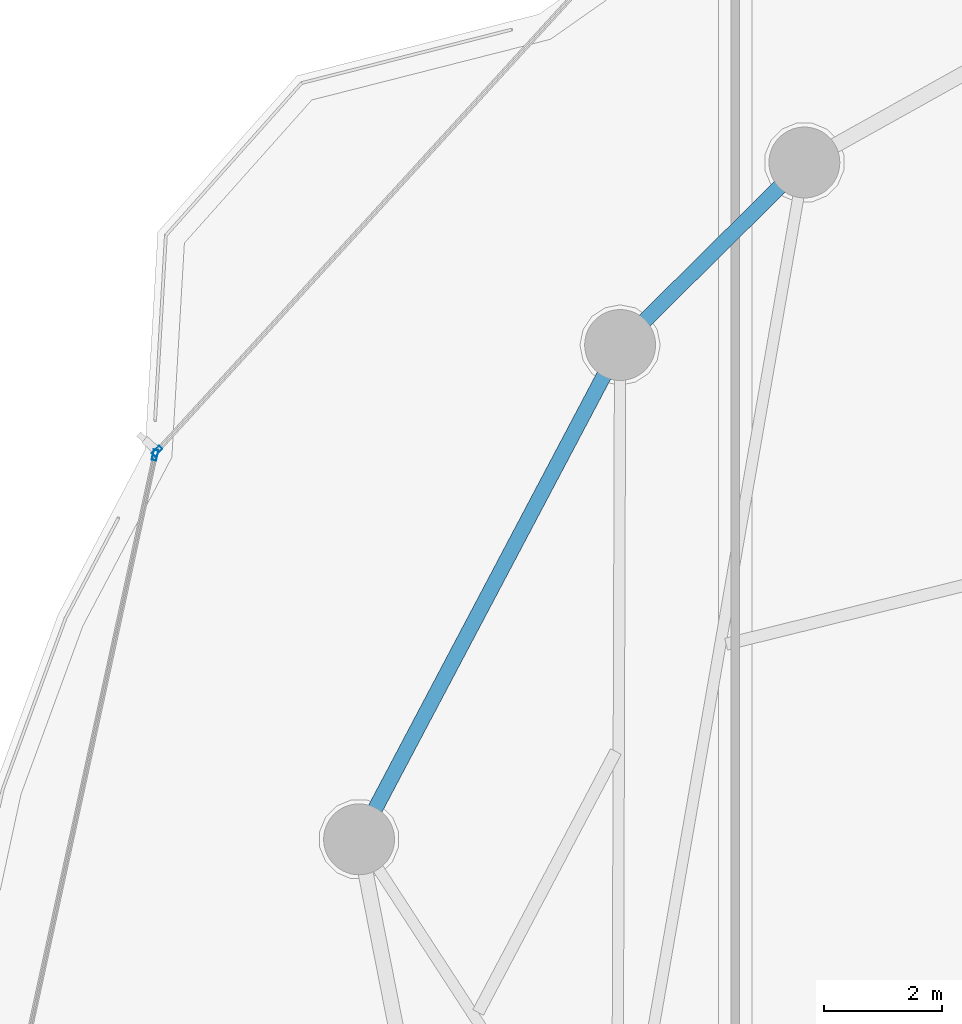
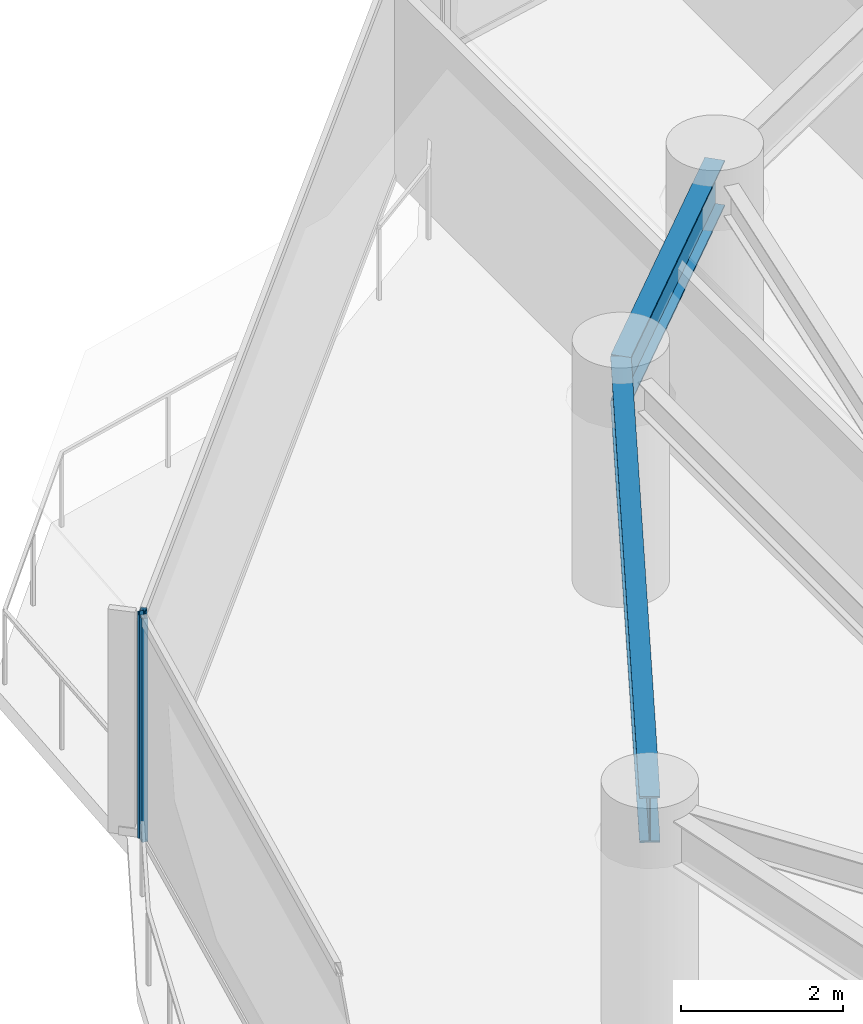
# One storey, part 17 of 34: 2 beams, 2 members, 2 elements without a shape of their own.
"""IFC4 building model written with IfcOpenShell, lengths in metres."""

from ifc_helpers import new_model, si_unit, direction, frame, origin, origin_2d, place, context, subcontext, project, spatial, hollow_rectangle, i_section, extrude, material, layer, layer_set, material_profile, profile_set, type_object, element, aggregate, save


model = new_model("IFC4")

# Units and contexts
model_context = context("Model", 3, precision=1e-05, world=origin(), true_north=direction((0.0, 1.0)))
body_context = subcontext(model_context, "Body", "Model", "MODEL_VIEW")
ifc_project = project(units=[si_unit("LENGTHUNIT", "METRE"), si_unit("AREAUNIT", "SQUARE_METRE"), si_unit("VOLUMEUNIT", "CUBIC_METRE"), si_unit("PLANEANGLEUNIT", "RADIAN"), si_unit("MASSUNIT", "GRAM", prefix="KILO")], contexts=[model_context])

# Site, building, storey
site_placement = place(None, origin())
site = spatial("IfcSite", under=ifc_project, at=site_placement, CompositionType="ELEMENT")
building_placement = place(site_placement, origin())
building = spatial("IfcBuilding", under=site, at=building_placement, Name="Kazevale Care Tower and Concert Hall", CompositionType="ELEMENT")
storey_placement = place(building_placement, frame((0.0, 0.0, 156.60009765625)))
storey = spatial("IfcBuildingStorey", under=building, at=storey_placement, Name="L41", CompositionType="ELEMENT", Elevation=156.60009765625)

# Curtain wall, member
ifc_material_1 = material(Name="Aluminium 6063-T6 and Low-E Glass", Category="aluminium")
ifc_layer_1 = layer(ifc_material_1, 0.179931640625)
ifc_layer_set_1 = layer_set([ifc_layer_1], Name="Aluminium 6063-T6 and Low-E Glass")
curtain_wall_type_1 = type_object("IfcCurtainWallType", Name="Convex Checkerboard Finned Curtain Wall CW-2", PredefinedType="NOTDEFINED", material=ifc_layer_set_1)
curtain_wall_1_placement = place(storey_placement, origin())
curtain_wall_1 = element("IfcCurtainWall", 1, at=curtain_wall_1_placement, inside=storey, type_object=curtain_wall_type_1, Name="cw:L41:f14", PredefinedType="NOTDEFINED")
ifc_material_2 = material(Name="Aluminium 6063-T6", Category="aluminium")
ifc_material_profile_1 = material_profile(ifc_material_2, hollow_rectangle(XDim=0.080078125, YDim=0.179931640625, WallThickness=0.0048828125, at=origin_2d()), Name="ALU80x180x5")
ifc_profile_set_1 = profile_set([ifc_material_profile_1], Name="Aluminium 6063-T6")
member_type_1 = type_object("IfcMemberType", Name="CW-2 Mullion ALU80x180x5", PredefinedType="MULLION", material=ifc_profile_set_1)
member_1_placement = place(storey_placement, frame((14.2109375, 49.694580078125, 0.0), z_axis=(0.0, 0.0, 1.0), x_axis=(-0.738491785899, 0.674262472751, 0.0)))
member_1 = element("IfcMember", 2, at=member_1_placement, type_object=member_type_1, Name="CW-2 mullion 1", PredefinedType="MULLION", context=body_context, shape_type="SweptSolid", body=[
    extrude(hollow_rectangle(XDim=0.080078125, YDim=0.179931640625, WallThickness=0.0048828125, at=origin_2d()), origin(), (0.0, 0.0, 1.0), 3.35986328125),
])
aggregate(curtain_wall_1, [member_1])

ifc_layer_2 = layer(ifc_material_1, 0.179931640625)
ifc_layer_set_2 = layer_set([ifc_layer_2], Name="Aluminium 6063-T6 and Low-E Glass")
curtain_wall_type_2 = type_object("IfcCurtainWallType", Name="Waist & Upper Residential Curtain Wall CW-4", PredefinedType="NOTDEFINED", material=ifc_layer_set_2)
curtain_wall_2_placement = place(storey_placement, origin())
curtain_wall_2 = element("IfcCurtainWall", 3, at=curtain_wall_2_placement, inside=storey, type_object=curtain_wall_type_2, Name="cw:L41:f13", PredefinedType="NOTDEFINED")
ifc_material_profile_2 = material_profile(ifc_material_2, hollow_rectangle(XDim=0.080078125, YDim=0.179931640625, WallThickness=0.0048828125, at=origin_2d()), Name="ALU80x180x5")
ifc_profile_set_2 = profile_set([ifc_material_profile_2], Name="Aluminium 6063-T6")
member_type_2 = type_object("IfcMemberType", Name="CW-4 Mullion ALU80x180x5", PredefinedType="MULLION", material=ifc_profile_set_2)
member_2_placement = place(storey_placement, frame((14.175537109375, 49.6259765625, 0.0), z_axis=(0.0, 0.0, 1.0), x_axis=(-0.977090755849, 0.21282305992, 0.0)))
member_2 = element("IfcMember", 4, at=member_2_placement, type_object=member_type_2, Name="CW-4 mullion 2", PredefinedType="MULLION", context=body_context, shape_type="SweptSolid", body=[
    extrude(hollow_rectangle(XDim=0.080078125, YDim=0.179931640625, WallThickness=0.0048828125, at=origin_2d()), origin(), (0.0, 0.0, 1.0), 3.35986328125),
])
aggregate(curtain_wall_2, [member_2])

# Beams
ifc_material_3 = material(Name="Steel ASTM A572 Gr 50", Category="steel")
ifc_material_profile_3 = material_profile(ifc_material_3, i_section(OverallWidth=0.256103515625, OverallDepth=0.693115234375, WebThickness=0.014404296875, FlangeThickness=0.023681640625, at=origin_2d()), Name="W690x170")
ifc_profile_set_3 = profile_set([ifc_material_profile_3], Name="Steel ASTM A572 Gr 50")
beam_type = type_object("IfcBeamType", Name="Waist Ring Beam W690x170", PredefinedType="BEAM", material=ifc_profile_set_3)
beam_1_placement = place(storey_placement, frame((25.169921875, 54.580078125, 3.013427734375), z_axis=(-0.710490141585, -0.703707154085, 0.0), x_axis=(0.703707154085, -0.710490141585, 0.0)))
element("IfcBeam", 5, at=beam_1_placement, inside=storey, type_object=beam_type, Name="beam:L41:ring:07", PredefinedType="BEAM", context=body_context, shape_type="SweptSolid", body=[
    extrude(i_section(OverallWidth=0.256103515625, OverallDepth=0.693115234375, WebThickness=0.014404296875, FlangeThickness=0.023681640625, at=origin_2d()), origin(), (0.0, 0.0, 1.0), 4.39111328125),
])
beam_2_placement = place(storey_placement, frame((22.050048828125, 51.489990234375, 3.013427734375), z_axis=(-0.466984438127, -0.884265533959, 0.0), x_axis=(0.884265533959, -0.466984438127, 0.0)))
element("IfcBeam", 6, at=beam_2_placement, inside=storey, type_object=beam_type, Name="beam:L41:ring:08", PredefinedType="BEAM", context=body_context, shape_type="SweptSolid", body=[
    extrude(i_section(OverallWidth=0.256103515625, OverallDepth=0.693115234375, WebThickness=0.014404296875, FlangeThickness=0.023681640625, at=origin_2d()), origin(), (0.0, 0.0, 1.0), 9.46533203125),
])

save(model, "model.ifc")
